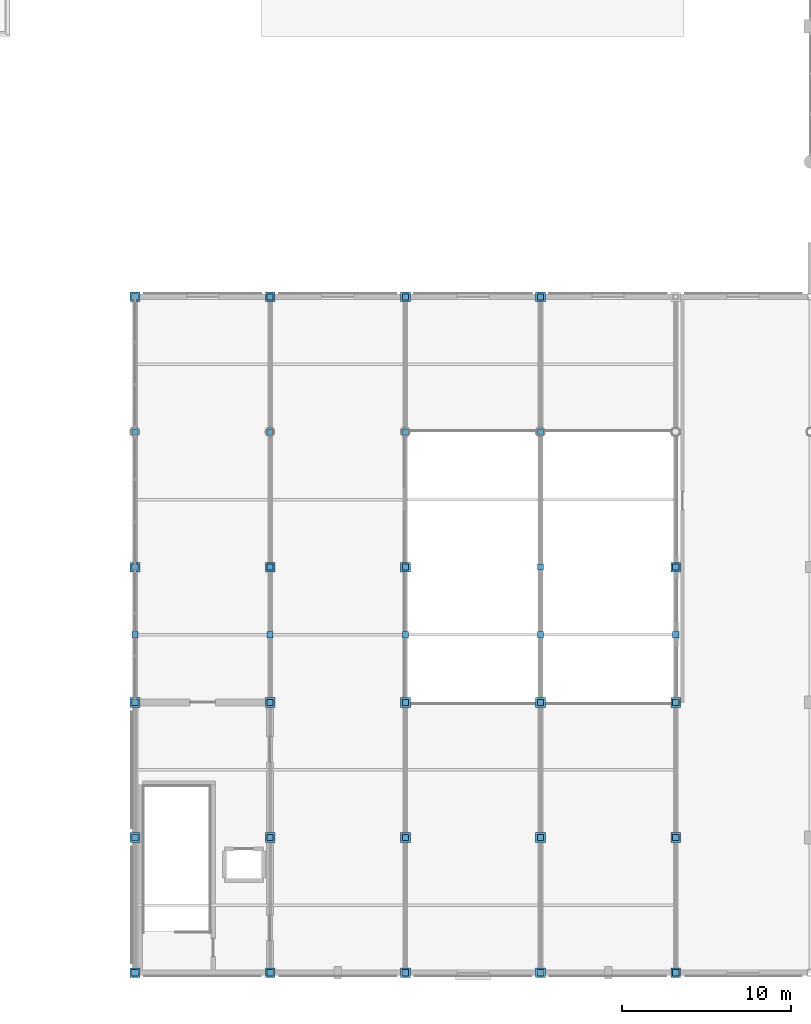
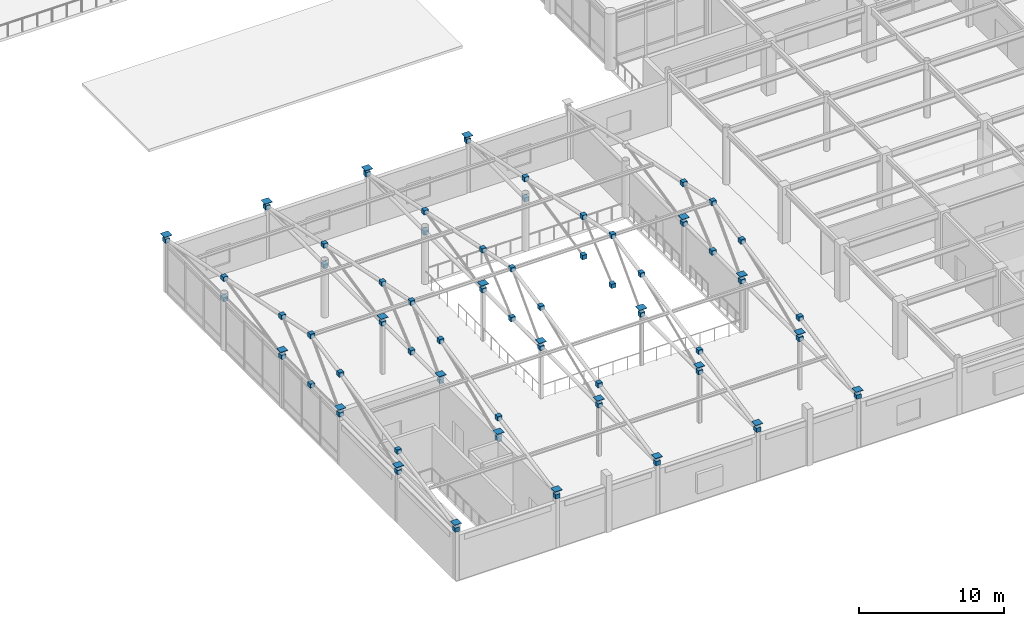
# One storey, part 99 of 117: 80 discrete accessories.
"""IFC4 building model written with IfcOpenShell, lengths in metres."""

from ifc_helpers import new_model, si_unit, direction, frame, origin, origin_2d, place, context, subcontext, project, spatial, rectangle, extrude, material, layer, layer_set, type_object, element, save


model = new_model("IFC4")

# Units and contexts
model_context = context("Model", 3, precision=1e-05, world=origin(), true_north=direction((0.0, 1.0)))
body_context = subcontext(model_context, "Body", "Model", "MODEL_VIEW")
ifc_project = project(units=[si_unit("LENGTHUNIT", "METRE"), si_unit("AREAUNIT", "SQUARE_METRE"), si_unit("VOLUMEUNIT", "CUBIC_METRE"), si_unit("PLANEANGLEUNIT", "RADIAN"), si_unit("MASSUNIT", "GRAM", prefix="KILO")], contexts=[model_context])

# Site, building, storey
site_placement = place(None, origin())
site = spatial("IfcSite", under=ifc_project, at=site_placement, CompositionType="ELEMENT")
building_placement = place(site_placement, origin())
building = spatial("IfcBuilding", under=site, at=building_placement, Name="Solmirada Galleria", CompositionType="ELEMENT")
storey_placement = place(building_placement, frame((0.0, 0.0, 5.60009765625)))
storey = spatial("IfcBuildingStorey", under=building, at=storey_placement, Name="L01", CompositionType="ELEMENT", Elevation=5.60009765625)

# Discrete accessories
ifc_material = material(Name="Steel S355 / ASTM A572 Grade 50", Category="steel")
ifc_layer = layer(ifc_material, 0.031982421875)
ifc_layer_set = layer_set([ifc_layer], Name="Steel S355 / ASTM A572 Grade 50")
discrete_accessory_type = type_object("IfcDiscreteAccessoryType", Name="ACC-COL-CAP", PredefinedType="BRACKET", material=ifc_layer_set)
for number, where, z_axis, x_axis, name in (
    (1, (40.0, 0.0, 4.7939453125), (0.0, 0.0, 1.0), (1.0, 0.0, 0.0), "Hollow column cap plate L01-0019"),
    (2, (40.0, 8.0, 4.7939453125), (0.0, 0.0, 1.0), (1.0, 0.0, 0.0), "Hollow column cap plate L01-0022"),
    (3, (40.0, 16.0, 4.7939453125), (0.0, 0.0, 1.0), (1.0, 0.0, 0.0), "Hollow column cap plate L01-0025"),
    (4, (40.0, 24.0, 4.7939453125), (0.0, 0.0, 1.0), (1.0, 0.0, 0.0), "Hollow column cap plate L01-0028"),
    (5, (40.0, 40.0, 4.7939453125), (0.0, 0.0, 1.0), (1.0, 0.0, 0.0), "Hollow column cap plate L01-0038"),
    (6, (48.0, 0.0, 4.7939453125), (0.0, 0.0, 1.0), (1.0, 0.0, 0.0), "Hollow column cap plate L01-0082"),
    (7, (48.0, 8.0, 4.7939453125), (0.0, 0.0, 1.0), (1.0, 0.0, 0.0), "Hollow column cap plate L01-0085"),
    (8, (48.0, 16.0, 4.7939453125), (0.0, 0.0, 1.0), (1.0, 0.0, 0.0), "Hollow column cap plate L01-0088"),
    (9, (48.0, 24.0, 4.7939453125), (0.0, 0.0, 1.0), (1.0, 0.0, 0.0), "Hollow column cap plate L01-0091"),
    (10, (48.0, 40.0, 4.7939453125), (0.0, 0.0, 1.0), (1.0, 0.0, 0.0), "Hollow column cap plate L01-0101"),
    (11, (56.0, 0.0, 4.7939453125), (0.0, 0.0, 1.0), (1.0, 0.0, 0.0), "Hollow column cap plate L01-0149"),
    (12, (56.0, 8.0, 4.7939453125), (0.0, 0.0, 1.0), (1.0, 0.0, 0.0), "Hollow column cap plate L01-0152"),
    (13, (56.0, 16.0, 4.7939453125), (0.0, 0.0, 1.0), (1.0, 0.0, 0.0), "Hollow column cap plate L01-0155"),
    (14, (56.0, 24.0, 4.7939453125), (0.0, 0.0, 1.0), (1.0, 0.0, 0.0), "Hollow column cap plate L01-0158"),
    (15, (56.0, 40.0, 4.7939453125), (0.0, 0.0, 1.0), (1.0, 0.0, 0.0), "Hollow column cap plate L01-0168"),
    (16, (64.0, 0.0, 4.7939453125), (0.0, 0.0, 1.0), (1.0, 0.0, 0.0), "Hollow column cap plate L01-0216"),
    (17, (64.0, 8.0, 4.7939453125), (0.0, 0.0, 1.0), (1.0, 0.0, 0.0), "Hollow column cap plate L01-0219"),
    (18, (64.0, 16.0, 4.7939453125), (0.0, 0.0, 1.0), (1.0, 0.0, 0.0), "Hollow column cap plate L01-0222"),
    (19, (64.0, 40.0, 4.7939453125), (0.0, 0.0, 1.0), (1.0, 0.0, 0.0), "Hollow column cap plate L01-0232"),
    (20, (72.0, 0.0, 4.7939453125), (0.0, 0.0, 1.0), (1.0, 0.0, 0.0), "Hollow column cap plate L01-0280"),
    (21, (72.0, 8.0, 4.7939453125), (0.0, 0.0, 1.0), (1.0, 0.0, 0.0), "Hollow column cap plate L01-0283"),
    (22, (72.0, 16.0, 4.7939453125), (0.0, 0.0, 1.0), (1.0, 0.0, 0.0), "Hollow column cap plate L01-0286"),
    (23, (72.0, 24.0, 4.7939453125), (0.0, 0.0, 1.0), (1.0, 0.0, 0.0), "Hollow column cap plate L01-0289"),
):
    element("IfcDiscreteAccessory", number, at=place(storey_placement, frame(where, z_axis=z_axis, x_axis=x_axis)), inside=storey, type_object=discrete_accessory_type, Name=name, PredefinedType="BRACKET", context=body_context, shape_type="SweptSolid", body=[
        extrude(rectangle(XDim=0.580078125, YDim=0.580078125, at=origin_2d()), origin(), (0.0, 0.0, 1.0), 0.035888671875),
    ])
for number, where, z_axis, x_axis, name in (
    (24, (40.0, 0.0, 4.11962890625), (0.0, 0.0, 1.0), (1.0, 0.0, 0.0), "Food Hall web node cap X=40-0-A"),
    (25, (40.0, 8.0, 5.83984375), (0.0, 0.0, 1.0), (1.0, 0.0, 0.0), "Food Hall web node cap X=40-0-B"),
    (26, (40.0, 8.0, 4.11962890625), (0.0, 0.0, 1.0), (1.0, 0.0, 0.0), "Food Hall web node cap X=40-80-A"),
    (27, (40.0, 16.0, 7.47998046875), (0.0, 0.0, 1.0), (1.0, 0.0, 0.0), "Food Hall web node cap X=40-80-B"),
    (28, (40.0, 16.0, 4.11962890625), (0.0, 0.0, 1.0), (1.0, 0.0, 0.0), "Food Hall web node cap X=40-160-A"),
    (29, (40.0, 20.0, 8.2998046875), (0.0, 0.0, 1.0), (1.0, 0.0, 0.0), "Food Hall web node cap X=40-160-B"),
    (30, (40.0, 20.0, 4.11962890625), (0.0, 0.0, 1.0), (1.0, 0.0, 0.0), "Food Hall web node cap X=40-200-A"),
    (31, (40.0, 24.0, 7.47998046875), (0.0, 0.0, 1.0), (1.0, 0.0, 0.0), "Food Hall web node cap X=40-200-B"),
    (32, (40.0, 24.0, 4.11962890625), (0.0, 0.0, 1.0), (1.0, 0.0, 0.0), "Food Hall web node cap X=40-240-A"),
    (33, (40.0, 32.0, 5.83984375), (0.0, 0.0, 1.0), (1.0, 0.0, 0.0), "Food Hall web node cap X=40-240-B"),
    (34, (40.0, 32.0, 4.11962890625), (0.0, 0.0, 1.0), (1.0, 0.0, 0.0), "Food Hall web node cap X=40-320-A"),
    (35, (40.0, 40.0, 4.19970703125), (0.0, 0.0, 1.0), (1.0, 0.0, 0.0), "Food Hall web node cap X=40-320-B"),
    (36, (48.0, 0.0, 4.11962890625), (0.0, 0.0, 1.0), (1.0, 0.0, 0.0), "Food Hall web node cap X=48-0-A"),
    (37, (48.0, 8.0, 5.83984375), (0.0, 0.0, 1.0), (1.0, 0.0, 0.0), "Food Hall web node cap X=48-0-B"),
    (38, (48.0, 8.0, 4.11962890625), (0.0, 0.0, 1.0), (1.0, 0.0, 0.0), "Food Hall web node cap X=48-80-A"),
    (39, (48.0, 16.0, 7.47998046875), (0.0, 0.0, 1.0), (1.0, 0.0, 0.0), "Food Hall web node cap X=48-80-B"),
    (40, (48.0, 16.0, 4.11962890625), (0.0, 0.0, 1.0), (1.0, 0.0, 0.0), "Food Hall web node cap X=48-160-A"),
    (41, (48.0, 20.0, 8.2998046875), (0.0, 0.0, 1.0), (1.0, 0.0, 0.0), "Food Hall web node cap X=48-160-B"),
    (42, (48.0, 20.0, 4.11962890625), (0.0, 0.0, 1.0), (1.0, 0.0, 0.0), "Food Hall web node cap X=48-200-A"),
    (43, (48.0, 24.0, 7.47998046875), (0.0, 0.0, 1.0), (1.0, 0.0, 0.0), "Food Hall web node cap X=48-200-B"),
    (44, (48.0, 24.0, 4.11962890625), (0.0, 0.0, 1.0), (1.0, 0.0, 0.0), "Food Hall web node cap X=48-240-A"),
    (45, (48.0, 32.0, 5.83984375), (0.0, 0.0, 1.0), (1.0, 0.0, 0.0), "Food Hall web node cap X=48-240-B"),
    (46, (48.0, 32.0, 4.11962890625), (0.0, 0.0, 1.0), (1.0, 0.0, 0.0), "Food Hall web node cap X=48-320-A"),
    (47, (48.0, 40.0, 4.19970703125), (0.0, 0.0, 1.0), (1.0, 0.0, 0.0), "Food Hall web node cap X=48-320-B"),
    (48, (56.0, 0.0, 4.11962890625), (0.0, 0.0, 1.0), (1.0, 0.0, 0.0), "Food Hall web node cap X=56-0-A"),
    (49, (56.0, 8.0, 5.83984375), (0.0, 0.0, 1.0), (1.0, 0.0, 0.0), "Food Hall web node cap X=56-0-B"),
    (50, (56.0, 8.0, 4.11962890625), (0.0, 0.0, 1.0), (1.0, 0.0, 0.0), "Food Hall web node cap X=56-80-A"),
    (51, (56.0, 16.0, 7.47998046875), (0.0, 0.0, 1.0), (1.0, 0.0, 0.0), "Food Hall web node cap X=56-80-B"),
    (52, (56.0, 16.0, 4.11962890625), (0.0, 0.0, 1.0), (1.0, 0.0, 0.0), "Food Hall web node cap X=56-160-A"),
    (53, (56.0, 20.0, 8.2998046875), (0.0, 0.0, 1.0), (1.0, 0.0, 0.0), "Food Hall web node cap X=56-160-B"),
    (54, (56.0, 20.0, 4.11962890625), (0.0, 0.0, 1.0), (1.0, 0.0, 0.0), "Food Hall web node cap X=56-200-A"),
    (55, (56.0, 24.0, 7.47998046875), (0.0, 0.0, 1.0), (1.0, 0.0, 0.0), "Food Hall web node cap X=56-200-B"),
    (56, (56.0, 24.0, 4.11962890625), (0.0, 0.0, 1.0), (1.0, 0.0, 0.0), "Food Hall web node cap X=56-240-A"),
    (57, (56.0, 32.0, 5.83984375), (0.0, 0.0, 1.0), (1.0, 0.0, 0.0), "Food Hall web node cap X=56-240-B"),
    (58, (56.0, 32.0, 4.11962890625), (0.0, 0.0, 1.0), (1.0, 0.0, 0.0), "Food Hall web node cap X=56-320-A"),
    (59, (56.0, 40.0, 4.19970703125), (0.0, 0.0, 1.0), (1.0, 0.0, 0.0), "Food Hall web node cap X=56-320-B"),
    (60, (64.0, 0.0, 4.11962890625), (0.0, 0.0, 1.0), (1.0, 0.0, 0.0), "Food Hall web node cap X=64-0-A"),
    (61, (64.0, 8.0, 5.83984375), (0.0, 0.0, 1.0), (1.0, 0.0, 0.0), "Food Hall web node cap X=64-0-B"),
    (62, (64.0, 8.0, 4.11962890625), (0.0, 0.0, 1.0), (1.0, 0.0, 0.0), "Food Hall web node cap X=64-80-A"),
    (63, (64.0, 16.0, 7.47998046875), (0.0, 0.0, 1.0), (1.0, 0.0, 0.0), "Food Hall web node cap X=64-80-B"),
    (64, (64.0, 16.0, 4.11962890625), (0.0, 0.0, 1.0), (1.0, 0.0, 0.0), "Food Hall web node cap X=64-160-A"),
    (65, (64.0, 20.0, 8.2998046875), (0.0, 0.0, 1.0), (1.0, 0.0, 0.0), "Food Hall web node cap X=64-160-B"),
    (66, (64.0, 20.0, 4.11962890625), (0.0, 0.0, 1.0), (1.0, 0.0, 0.0), "Food Hall web node cap X=64-200-A"),
    (67, (64.0, 24.0, 7.47998046875), (0.0, 0.0, 1.0), (1.0, 0.0, 0.0), "Food Hall web node cap X=64-200-B"),
    (68, (64.0, 24.0, 4.11962890625), (0.0, 0.0, 1.0), (1.0, 0.0, 0.0), "Food Hall web node cap X=64-240-A"),
    (69, (64.0, 32.0, 5.83984375), (0.0, 0.0, 1.0), (1.0, 0.0, 0.0), "Food Hall web node cap X=64-240-B"),
    (70, (64.0, 32.0, 4.11962890625), (0.0, 0.0, 1.0), (1.0, 0.0, 0.0), "Food Hall web node cap X=64-320-A"),
    (71, (64.0, 40.0, 4.19970703125), (0.0, 0.0, 1.0), (1.0, 0.0, 0.0), "Food Hall web node cap X=64-320-B"),
    (72, (72.0, 0.0, 4.11962890625), (0.0, 0.0, 1.0), (1.0, 0.0, 0.0), "Food Hall web node cap X=72-0-A"),
    (73, (72.0, 8.0, 5.83984375), (0.0, 0.0, 1.0), (1.0, 0.0, 0.0), "Food Hall web node cap X=72-0-B"),
    (74, (72.0, 8.0, 4.11962890625), (0.0, 0.0, 1.0), (1.0, 0.0, 0.0), "Food Hall web node cap X=72-80-A"),
    (75, (72.0, 16.0, 7.47998046875), (0.0, 0.0, 1.0), (1.0, 0.0, 0.0), "Food Hall web node cap X=72-80-B"),
    (76, (72.0, 16.0, 4.11962890625), (0.0, 0.0, 1.0), (1.0, 0.0, 0.0), "Food Hall web node cap X=72-160-A"),
    (77, (72.0, 20.0, 8.2998046875), (0.0, 0.0, 1.0), (1.0, 0.0, 0.0), "Food Hall web node cap X=72-160-B"),
    (78, (72.0, 20.0, 4.11962890625), (0.0, 0.0, 1.0), (1.0, 0.0, 0.0), "Food Hall web node cap X=72-200-A"),
    (79, (72.0, 24.0, 7.47998046875), (0.0, 0.0, 1.0), (1.0, 0.0, 0.0), "Food Hall web node cap X=72-200-B"),
    (80, (72.0, 24.0, 4.11962890625), (0.0, 0.0, 1.0), (1.0, 0.0, 0.0), "Food Hall web node cap X=72-240-A"),
):
    element("IfcDiscreteAccessory", number, at=place(storey_placement, frame(where, z_axis=z_axis, x_axis=x_axis)), inside=storey, type_object=discrete_accessory_type, Name=name, PredefinedType="BRACKET", context=body_context, shape_type="SweptSolid", body=[
        extrude(rectangle(XDim=0.360107421875, YDim=0.360107421875, at=origin_2d()), origin(), (0.0, 0.0, 1.0), 0.360107421875),
    ])

save(model, "model.ifc")
